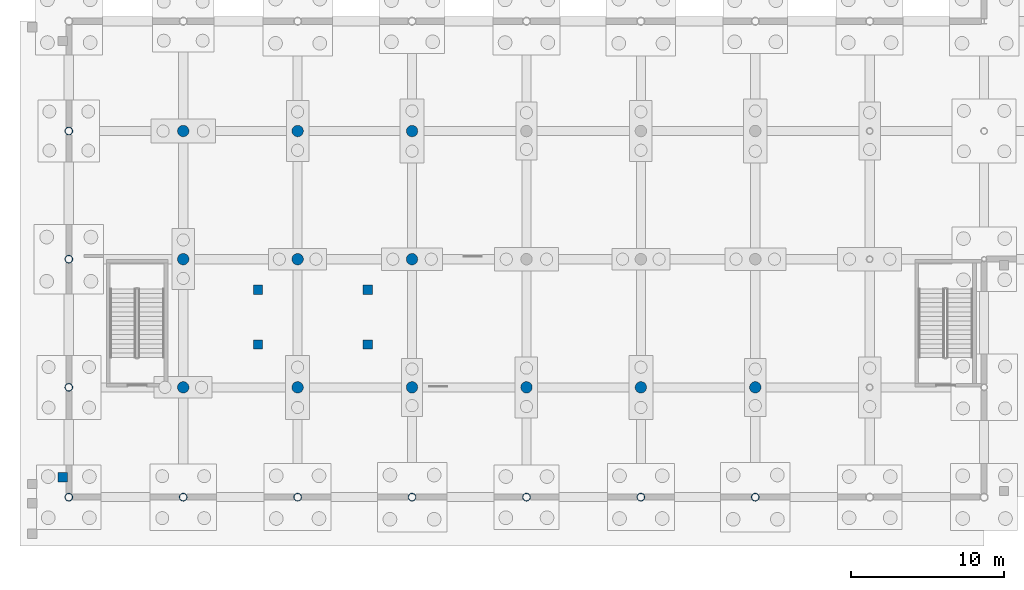
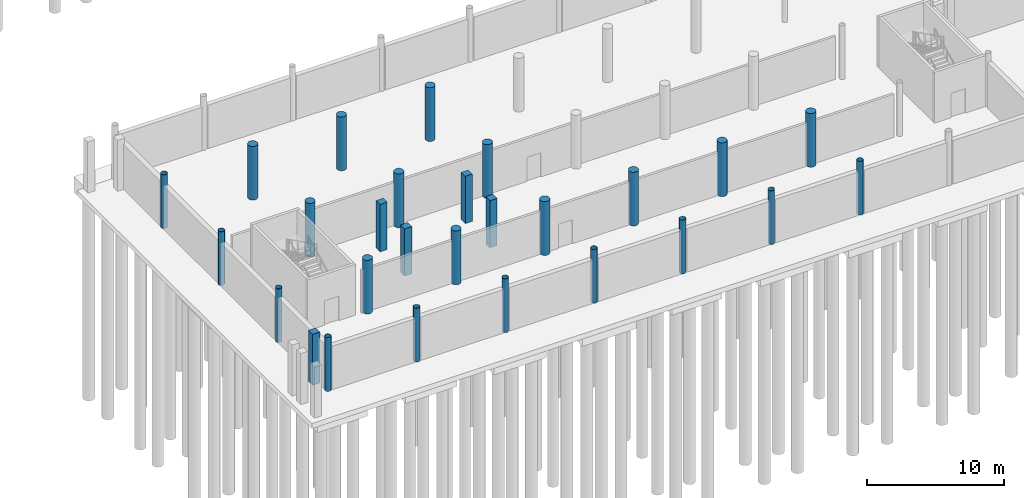
# One storey, part 13 of 44: 27 columns.
"""IFC4 building model written with IfcOpenShell, lengths in metres."""

from ifc_helpers import new_model, si_unit, direction, frame, origin, origin_2d, place, context, subcontext, project, spatial, rectangle, circle, hollow_circle, extrude, material, material_profile, profile_set, type_object, element, save


model = new_model("IFC4")

# Units and contexts
model_context = context("Model", 3, precision=1e-05, world=origin(), true_north=direction((0.0, 1.0)))
body_context = subcontext(model_context, "Body", "Model", "MODEL_VIEW")
ifc_project = project(units=[si_unit("LENGTHUNIT", "METRE"), si_unit("AREAUNIT", "SQUARE_METRE"), si_unit("VOLUMEUNIT", "CUBIC_METRE"), si_unit("PLANEANGLEUNIT", "RADIAN"), si_unit("MASSUNIT", "GRAM", prefix="KILO")], contexts=[model_context])

# Site, building, storey
site_placement = place(None, origin())
site = spatial("IfcSite", under=ifc_project, at=site_placement, CompositionType="ELEMENT")
building_placement = place(site_placement, origin())
building = spatial("IfcBuilding", under=site, at=building_placement, Name="Yukiwa Park Conservatory and Herbarium", CompositionType="ELEMENT")
storey_placement = place(building_placement, frame((0.0, 0.0, -4.800048828125)))
storey = spatial("IfcBuildingStorey", under=building, at=storey_placement, Name="B1", CompositionType="ELEMENT", Elevation=-4.800048828125)

# Columns
ifc_material_1 = material(Name="Concrete C40", Category="concrete")
ifc_material_profile_1 = material_profile(ifc_material_1, rectangle(XDim=0.60009765625, YDim=0.60009765625, at=origin_2d()), Name="RC 600x600")
ifc_profile_set_1 = profile_set([ifc_material_profile_1], Name="Concrete C40")
column_type_1 = type_object("IfcColumnType", Name="COL-B1-RC600", PredefinedType="COLUMN", material=ifc_profile_set_1)
for number, where, z_axis, x_axis, name in (
    (1, (12.39990234375, 10.0, 0.0), (0.0, 0.0, 1.0), (1.0, 0.0, 0.0), "Conservatory planting pit support post 1"),
    (2, (19.60009765625, 10.0, 0.0), (0.0, 0.0, 1.0), (1.0, 0.0, 0.0), "Conservatory planting pit support post 2"),
    (3, (19.60009765625, 13.60009765625, 0.0), (0.0, 0.0, 1.0), (1.0, 0.0, 0.0), "Conservatory planting pit support post 3"),
    (4, (12.39990234375, 13.60009765625, 0.0), (0.0, 0.0, 1.0), (1.0, 0.0, 0.0), "Conservatory planting pit support post 4"),
):
    element("IfcColumn", number, at=place(storey_placement, frame(where, z_axis=z_axis, x_axis=x_axis)), inside=storey, type_object=column_type_1, Name=name, PredefinedType="COLUMN", context=body_context, shape_type="SweptSolid", body=[
        extrude(rectangle(XDim=0.60009765625, YDim=0.60009765625, at=origin_2d()), origin(), (0.0, 0.0, 1.0), 4.22509765625),
    ])
column_placement = place(storey_placement, frame((-0.39990234375, 1.306884765625, 0.0), z_axis=(0.0, 0.0, 1.0), x_axis=(1.0, 0.0, 0.0)))
element("IfcColumn", 5, at=column_placement, inside=storey, type_object=column_type_1, Name="Exterior frost apron pier 22", PredefinedType="COLUMN", context=body_context, shape_type="SweptSolid", body=[
    extrude(rectangle(XDim=0.60009765625, YDim=0.60009765625, at=origin_2d()), origin(), (0.0, 0.0, 1.0), 4.56005859375),
])
ifc_material_2 = material(Name="Concrete C40", Category="concrete")
ifc_material_profile_2 = material_profile(ifc_material_2, circle(Radius=0.375, at=origin_2d()), Name="RC D750")
ifc_profile_set_2 = profile_set([ifc_material_profile_2], Name="Concrete C40")
column_type_2 = type_object("IfcColumnType", Name="COL-B1-RCD750", PredefinedType="COLUMN", material=ifc_profile_set_2)
for number, where, z_axis, x_axis, name in (
    (6, (7.5, 7.199951171875, 0.0), (0.0, 0.0, 1.0), (1.0, 0.0, 0.0), "B1 column V1B-X75-Y72"),
    (7, (7.5, 15.60009765625, 0.0), (0.0, 0.0, 1.0), (1.0, 0.0, 0.0), "B1 column V1B-X75-Y156"),
    (8, (7.5, 24.0, 0.0), (0.0, 0.0, 1.0), (1.0, 0.0, 0.0), "B1 column V1B-X75-Y240"),
    (9, (15.0, 7.199951171875, 0.0), (0.0, 0.0, 1.0), (1.0, 0.0, 0.0), "B1 column V1B-X150-Y72"),
    (10, (15.0, 15.60009765625, 0.0), (0.0, 0.0, 1.0), (1.0, 0.0, 0.0), "B1 column V1B-X150-Y156"),
    (11, (15.0, 24.0, 0.0), (0.0, 0.0, 1.0), (1.0, 0.0, 0.0), "B1 column V1B-X150-Y240"),
    (12, (22.5, 7.199951171875, 0.0), (0.0, 0.0, 1.0), (1.0, 0.0, 0.0), "B1 column V1B-X225-Y72"),
    (13, (22.5, 15.60009765625, 0.0), (0.0, 0.0, 1.0), (1.0, 0.0, 0.0), "B1 column V1B-X225-Y156"),
    (14, (22.5, 24.0, 0.0), (0.0, 0.0, 1.0), (1.0, 0.0, 0.0), "B1 column V1B-X225-Y240"),
    (15, (30.0, 7.199951171875, 0.0), (0.0, 0.0, 1.0), (1.0, 0.0, 0.0), "B1 column V1B-X300-Y72"),
    (16, (37.5, 7.199951171875, 0.0), (0.0, 0.0, 1.0), (1.0, 0.0, 0.0), "B1 column V1B-X375-Y72"),
    (17, (45.0, 7.199951171875, 0.0), (0.0, 0.0, 1.0), (1.0, 0.0, 0.0), "B1 column V1B-X450-Y72"),
):
    element("IfcColumn", number, at=place(storey_placement, frame(where, z_axis=z_axis, x_axis=x_axis)), inside=storey, type_object=column_type_2, Name=name, PredefinedType="COLUMN", context=body_context, shape_type="SweptSolid", body=[
        extrude(circle(Radius=0.375, at=origin_2d()), origin(), (0.0, 0.0, 1.0), 4.800048828125),
    ])
ifc_material_3 = material(Name="Steel Q355D", Category="steel")
ifc_material_profile_3 = material_profile(ifc_material_3, hollow_circle(Radius=0.25390625, WallThickness=0.01611328125, at=origin_2d()), Name="CHS 508x16")
ifc_profile_set_3 = profile_set([ifc_material_profile_3], Name="Steel Q355D")
column_type_3 = type_object("IfcColumnType", Name="COL-CV-CHS508-INT", PredefinedType="COLUMN", material=ifc_profile_set_3)
for number, where, z_axis, x_axis, name in (
    (18, (0.0, 0.0, 0.0), (0.0, 0.0, 1.0), (1.0, 0.0, 0.0), "B1 column V1-X0-Y0"),
    (19, (0.0, 7.199951171875, 0.0), (0.0, 0.0, 1.0), (1.0, 0.0, 0.0), "B1 column V1-X0-Y72"),
    (20, (0.0, 15.60009765625, 0.0), (0.0, 0.0, 1.0), (1.0, 0.0, 0.0), "B1 column V1-X0-Y156"),
    (21, (0.0, 24.0, 0.0), (0.0, 0.0, 1.0), (1.0, 0.0, 0.0), "B1 column V1-X0-Y240"),
    (22, (7.5, 0.0, 0.0), (0.0, 0.0, 1.0), (1.0, 0.0, 0.0), "B1 column V1-X75-Y0"),
    (23, (15.0, 0.0, 0.0), (0.0, 0.0, 1.0), (1.0, 0.0, 0.0), "B1 column V1-X150-Y0"),
    (24, (22.5, 0.0, 0.0), (0.0, 0.0, 1.0), (1.0, 0.0, 0.0), "B1 column V1-X225-Y0"),
    (25, (30.0, 0.0, 0.0), (0.0, 0.0, 1.0), (1.0, 0.0, 0.0), "B1 column V1-X300-Y0"),
    (26, (37.5, 0.0, 0.0), (0.0, 0.0, 1.0), (1.0, 0.0, 0.0), "B1 column V1-X375-Y0"),
    (27, (45.0, 0.0, 0.0), (0.0, 0.0, 1.0), (1.0, 0.0, 0.0), "B1 column V1-X450-Y0"),
):
    element("IfcColumn", number, at=place(storey_placement, frame(where, z_axis=z_axis, x_axis=x_axis)), inside=storey, type_object=column_type_3, Name=name, PredefinedType="COLUMN", context=body_context, shape_type="SweptSolid", body=[
        extrude(hollow_circle(Radius=0.25390625, WallThickness=0.01611328125, at=origin_2d()), origin(), (0.0, 0.0, 1.0), 4.800048828125),
    ])

save(model, "model.ifc")
